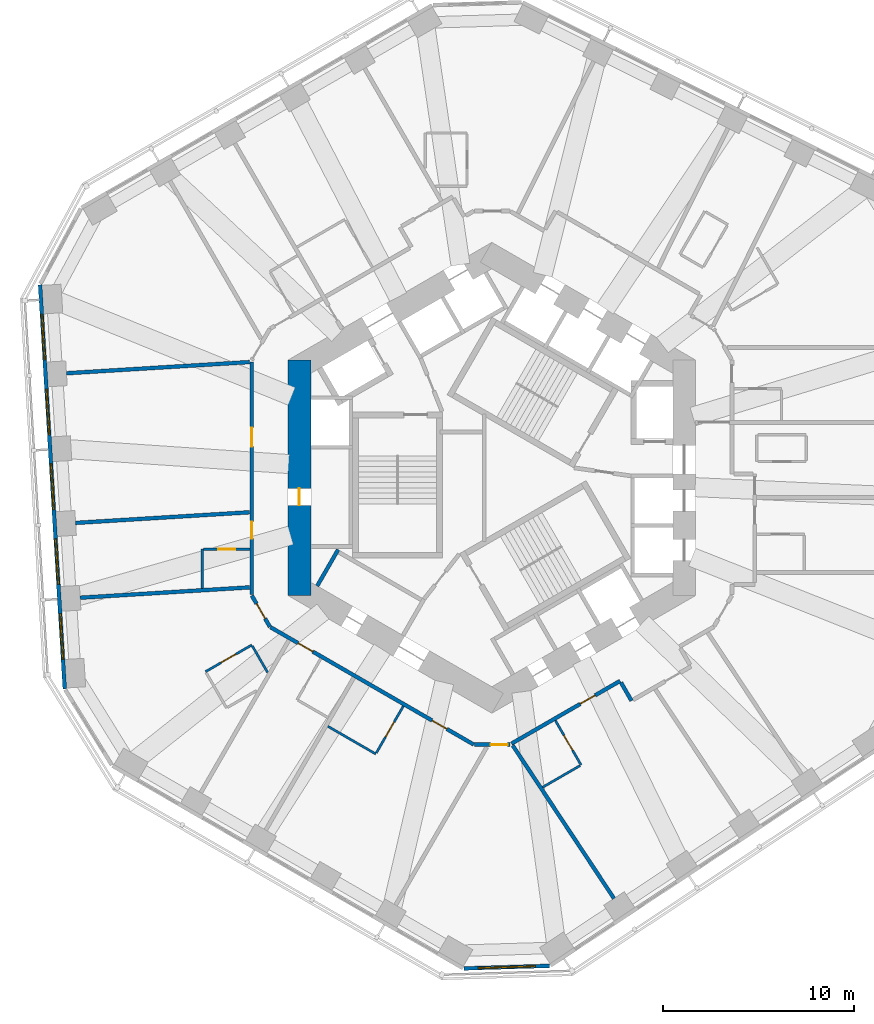
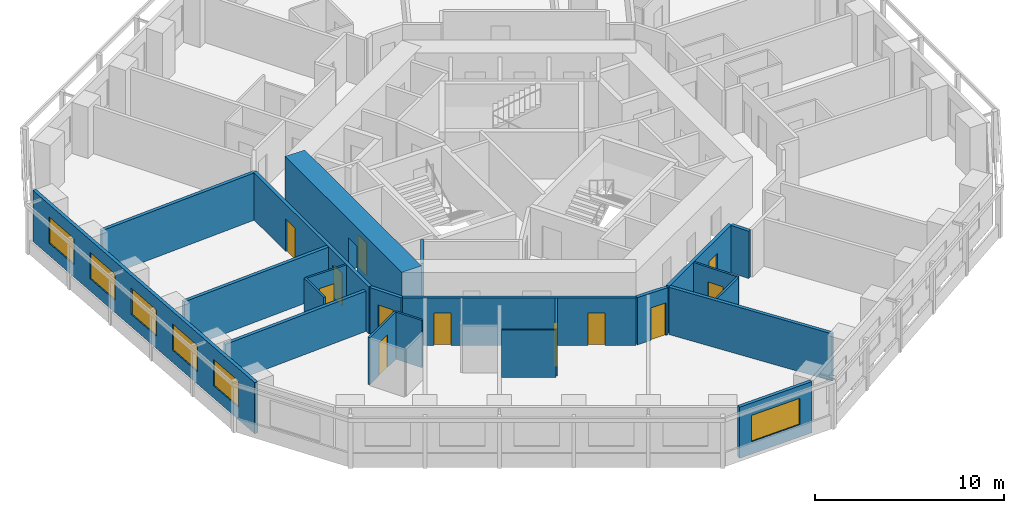
# One storey, part 4 of 12: 22 walls, 12 doors, 6 windows, 18 openings.
"""IFC4 building model written with IfcOpenShell, lengths in metres."""

import ifcopenshell
import ifcopenshell.guid

model = None  # the IFC model being written
_history = None  # IfcOwnerHistory: only IFC2X3 demands one
_inside = {}  # id of a spatial element -> (the spatial element, [elements in it])
_under = {}  # id of a project, library or spatial element -> (it, [spatial elements below it])
_declared = {}  # id of a project -> (the project, [libraries it declares])
_typed = {}  # id of a type object -> (the type object, [elements of that type])
_made_of = {}  # id of a material, layer set ... -> (it, [elements and type objects made of it])


def new_model(schema):
    """Start an empty IFC model of exactly this schema.

    Asked for "IFC4X3", IfcOpenShell would pick the latest addendum, in which some entities
    have other attributes; the version numbers below select the first issue.
    IFC2X3 requires an IfcOwnerHistory on every rooted entity: one is made here for all.
    """
    global model, _history
    if schema == "IFC4X3":
        model = ifcopenshell.file(schema_version=(4, 3, 0, 0))
    else:
        model = ifcopenshell.file(schema=schema)
    _inside.clear()
    _under.clear()
    _declared.clear()
    _typed.clear()
    _made_of.clear()
    _history = None
    if model.schema == "IFC2X3":
        org = make("IfcOrganization", Name="unknown")
        user = make(
            "IfcPersonAndOrganization",
            ThePerson=make("IfcPerson", FamilyName="unknown"),
            TheOrganization=org,
        )
        app = make(
            "IfcApplication",
            ApplicationDeveloper=org,
            Version="unknown",
            ApplicationFullName="unknown",
            ApplicationIdentifier="unknown",
        )
        _history = make(
            "IfcOwnerHistory",
            OwningUser=user,
            OwningApplication=app,
            ChangeAction="ADDED",
            CreationDate=0,
        )
    return model


def make(cls, **values):
    """One entity of the class cls with the attributes given. An attribute that is None is left unset."""
    return model.create_entity(
        cls, **{name: value for name, value in values.items() if value is not None}
    )


def rooted(cls, **values):
    """An entity with a GlobalId (a new one), such as an element, a storey or a relation."""
    return make(cls, GlobalId=ifcopenshell.guid.new(), OwnerHistory=_history, **values)


def si_unit(unit_type, name, prefix=None):
    """IfcSIUnit, for example si_unit("LENGTHUNIT", "METRE", prefix="MILLI")."""
    return make("IfcSIUnit", UnitType=unit_type, Prefix=prefix, Name=name)


def assignment(units):
    """IfcUnitAssignment: the units of a project."""
    return None if units is None else make("IfcUnitAssignment", Units=units)


def point(xyz):
    """IfcCartesianPoint."""
    return None if xyz is None else make("IfcCartesianPoint", Coordinates=xyz)


def direction(xyz):
    """IfcDirection."""
    return None if xyz is None else make("IfcDirection", DirectionRatios=xyz)


def frame(location, z_axis=None, x_axis=None):
    """IfcAxis2Placement3D, a coordinate frame: its origin and axes. An axis left out is left unset."""
    return make(
        "IfcAxis2Placement3D",
        Location=point(location),
        Axis=direction(z_axis),
        RefDirection=direction(x_axis),
    )


def frame_2d(location, x_axis=None):
    """IfcAxis2Placement2D, a coordinate frame in the plane: its origin and x axis."""
    return make(
        "IfcAxis2Placement2D", Location=point(location), RefDirection=direction(x_axis)
    )


def origin():
    """The frame at (0, 0, 0) with its axes left unset."""
    return frame((0.0, 0.0, 0.0))


def place(relative_to, where):
    """IfcLocalPlacement: puts the frame where relative to a parent placement (None: the world)."""
    return make(
        "IfcLocalPlacement", PlacementRelTo=relative_to, RelativePlacement=where
    )


def context(
    kind, dimensions, precision=None, world=None, true_north=None, identifier=None
):
    """IfcGeometricRepresentationContext, for example the 3D "Model" context."""
    return make(
        "IfcGeometricRepresentationContext",
        ContextIdentifier=identifier,
        ContextType=kind,
        CoordinateSpaceDimension=dimensions,
        Precision=precision,
        WorldCoordinateSystem=world,
        TrueNorth=true_north,
    )


def subcontext(parent, identifier, kind, view, scale=None):
    """IfcGeometricRepresentationSubContext, for example "Body" below "Model"."""
    return make(
        "IfcGeometricRepresentationSubContext",
        ContextIdentifier=identifier,
        ContextType=kind,
        ParentContext=parent,
        TargetScale=scale,
        TargetView=view,
    )


def project(units=None, contexts=None):
    """IfcProject with its units and contexts."""
    return rooted(
        "IfcProject",
        Name="project",
        RepresentationContexts=contexts,
        UnitsInContext=assignment(units),
    )


def spatial(cls, under=None, at=None, **own):
    """A site, building, storey or space (cls), placed at a placement, below another one or the project."""
    s = rooted(cls, ObjectPlacement=at, **own)
    if under is not None:
        _under.setdefault(under.id(), (under, []))[1].append(s)
    return s


def profile(cls, at=None, kind="AREA", **sizes):
    """A parametric profile (cls). Its sizes go by their IFC names, for example OverallWidth=200.0."""
    return make(cls, ProfileType=kind, Position=at, **sizes)


def rectangle(**sizes):
    """IfcRectangleProfileDef."""
    return profile("IfcRectangleProfileDef", **sizes)


def extrude(swept, where, along, depth):
    """IfcExtrudedAreaSolid: the profile swept, set in the frame where, extruded along a direction by depth."""
    return make(
        "IfcExtrudedAreaSolid",
        SweptArea=swept,
        Position=where,
        ExtrudedDirection=direction(along),
        Depth=depth,
    )


def shape(context_of_items, identifier, shape_type, items):
    """IfcShapeRepresentation: the items that make up one representation, for example the "Body"."""
    return make(
        "IfcShapeRepresentation",
        ContextOfItems=context_of_items,
        RepresentationIdentifier=identifier,
        RepresentationType=shape_type,
        Items=items,
    )


def material(Name=None, Category=None):
    """IfcMaterial."""
    return make("IfcMaterial", Name=Name, Category=Category)


def layer(
    of_material, thickness, ventilated=None, Name=None, Category=None, Priority=None
):
    """IfcMaterialLayer: one layer of a wall or slab, of a material (None: an air gap)."""
    return make(
        "IfcMaterialLayer",
        Material=of_material,
        LayerThickness=thickness,
        IsVentilated=ventilated,
        Name=Name,
        Category=Category,
        Priority=Priority,
    )


def layer_set(layers, Name=None):
    """IfcMaterialLayerSet."""
    return make("IfcMaterialLayerSet", MaterialLayers=layers, LayerSetName=Name)


def made_of(thing, what):
    """Note that an element or type object is made of a material, layer set ...; save() writes the relation."""
    if what is not None:
        _made_of.setdefault(what.id(), (what, []))[1].append(thing)
    return thing


def type_object(cls, material=None, **own):
    """A type object (cls), such as IfcWallType, which elements share."""
    return made_of(rooted(cls, **own), material)


def element(
    cls,
    number,
    at=None,
    inside=None,
    cuts=None,
    type_object=None,
    material=None,
    context=None,
    identifier="Body",
    shape_type=None,
    held_by="IfcProductDefinitionShape",
    body=None,
    shapes=None,
    **own,
):
    """One element of the class cls, such as IfcWall. Its Tag is "e" and its number.

    at: its placement. inside: the storey or other place that contains it. cuts: it is an
    opening in that element (IfcRelVoidsElement). A single representation is given by context,
    identifier, shape_type and body (its items); several are given by shapes. held_by: the class
    of the entity that holds the representations. save() writes the other relations.
    """
    e = rooted(cls, Tag="e%d" % number, ObjectPlacement=at, **own)
    if body is not None:
        shapes = [shape(context, identifier, shape_type, body)]
    if shapes is not None:
        e.Representation = make(held_by, Representations=shapes)
    if inside is not None:
        _inside.setdefault(inside.id(), (inside, []))[1].append(e)
    if cuts is not None:
        rooted(
            "IfcRelVoidsElement", RelatingBuildingElement=cuts, RelatedOpeningElement=e
        )
    if type_object is not None:
        _typed.setdefault(type_object.id(), (type_object, []))[1].append(e)
    return made_of(e, material)


def fill(opening, filler):
    """IfcRelFillsElement: the door or window that sits in an opening."""
    return rooted(
        "IfcRelFillsElement",
        RelatingOpeningElement=opening,
        RelatedBuildingElement=filler,
    )


def aggregate(whole, parts):
    """IfcRelAggregates: a whole, such as a stair, and the parts it consists of."""
    return rooted("IfcRelAggregates", RelatingObject=whole, RelatedObjects=parts)


def save(model, path):
    """Write the relations noted so far, then the file.

    IfcRelAggregates (storeys below a building ...), IfcRelContainedInSpatialStructure (elements
    in a storey), IfcRelDefinesByType, IfcRelAssociatesMaterial and IfcRelDeclares: one each for
    every whole, place, type object, material and project.
    """
    for whole, parts in _under.values():
        aggregate(whole, parts)
    for where, things in _inside.values():
        rooted(
            "IfcRelContainedInSpatialStructure",
            RelatedElements=things,
            RelatingStructure=where,
        )
    for kind, things in _typed.values():
        rooted("IfcRelDefinesByType", RelatedObjects=things, RelatingType=kind)
    for what, things in _made_of.values():
        rooted("IfcRelAssociatesMaterial", RelatedObjects=things, RelatingMaterial=what)
    for by, libraries in _declared.values():
        rooted("IfcRelDeclares", RelatingContext=by, RelatedDefinitions=libraries)
    model.write(path)


model = new_model("IFC4")

# Units and contexts
model_context = context("Model", 3, precision=1e-05, world=origin(), true_north=direction((0.0, 1.0)))
body_context = subcontext(model_context, "Body", "Model", "MODEL_VIEW")
ifc_project = project(units=[si_unit("LENGTHUNIT", "METRE"), si_unit("AREAUNIT", "SQUARE_METRE"), si_unit("VOLUMEUNIT", "CUBIC_METRE"), si_unit("PLANEANGLEUNIT", "RADIAN"), si_unit("MASSUNIT", "GRAM", prefix="KILO")], contexts=[model_context])

# Site, building, storey
site_placement = place(None, origin())
site = spatial("IfcSite", under=ifc_project, at=site_placement, CompositionType="ELEMENT")
building_placement = place(site_placement, origin())
building = spatial("IfcBuilding", under=site, at=building_placement, Name="Vanh Sen Convention Tower", CompositionType="ELEMENT")
storey_placement = place(building_placement, frame((0.0, 0.0, 47.300048828125)))
storey = spatial("IfcBuildingStorey", under=building, at=storey_placement, Name="L08", CompositionType="ELEMENT", Elevation=47.300048828125)

# Wall
ifc_material_1 = material(Name="Moisture-resistant gypsum board on steel studs", Category="steel")
ifc_layer_1 = layer(ifc_material_1, 0.1201171875)
ifc_layer_set_1 = layer_set([ifc_layer_1], Name="Moisture-resistant gypsum board on steel studs")
wall_type_1 = type_object("IfcWallType", Name="Bathroom partition 120", PredefinedType="PARTITIONING", material=ifc_layer_set_1)
wall_1_placement = place(storey_placement, frame((-15.199951171875, -5.8037109375, 0.0), z_axis=(0.0, 0.0, 1.0), x_axis=(0.0, 1.0, 0.0)))
element("IfcWall", 1, at=wall_1_placement, inside=storey, type_object=wall_type_1, Name="Bathroom partition 120", PredefinedType="PARTITIONING", context=body_context, shape_type="SweptSolid", body=[
    extrude(rectangle(XDim=2.059326171875, YDim=0.1201171875, at=frame_2d((1.02978515625, 0.0))), origin(), (0.0, 0.0, 1.0), 3.050048828125),
])

# Wall, opening, door
wall_2_placement = place(storey_placement, frame((-15.139892578125, -3.744384765625, 0.0), z_axis=(0.0, 0.0, 1.0), x_axis=(1.0, 0.0, 0.0)))
wall_2 = element("IfcWall", 2, at=wall_2_placement, inside=storey, type_object=wall_type_1, Name="Bathroom partition 120", PredefinedType="PARTITIONING", context=body_context, shape_type="SweptSolid", body=[
    extrude(rectangle(XDim=2.43994140625, YDim=0.1201171875, at=frame_2d((1.219970703125, 0.0))), origin(), (0.0, 0.0, 1.0), 3.050048828125),
])
opening_1_placement = place(wall_2_placement, frame((0.77001953125, 0.0, 0.0)))
opening_1 = element("IfcOpeningElement", 3, at=opening_1_placement, cuts=wall_2, Name="Opening D07121", PredefinedType="OPENING", context=body_context, shape_type="SweptSolid", body=[
    extrude(rectangle(XDim=0.89990234375, YDim=2.10009765625, at=frame_2d((0.449951171875, 1.050048828125))), frame((0.0, 0.070068359375, 0.0), z_axis=(0.0, -1.0, 0.0), x_axis=(1.0, 0.0, 0.0)), (0.0, 0.0, 1.0), 0.14013671875),
])
ifc_material_2 = material(Name="Laminate door in steel frame", Category="steel")
door_type_1 = type_object("IfcDoorType", Name="En-suite door 900", OperationType="SINGLE_SWING_LEFT", PredefinedType="DOOR", material=ifc_material_2)
door_1_placement = place(opening_1_placement, origin())
door_1 = element("IfcDoor", 4, at=door_1_placement, inside=storey, type_object=door_type_1, Name="En-suite door D07121", OperationType="SINGLE_SWING_LEFT", OverallHeight=2.10009765625, OverallWidth=0.89990234375, PredefinedType="DOOR", context=body_context, shape_type="SweptSolid", body=[
    extrude(rectangle(XDim=0.89990234375, YDim=2.10009765625, at=frame_2d((0.449951171875, 1.050048828125))), frame((0.0, 0.02490234375, 0.0), z_axis=(0.0, -1.0, 0.0), x_axis=(1.0, 0.0, 0.0)), (0.0, 0.0, 1.0), 0.050048828125),
])
fill(opening_1, door_1)

wall_3_placement = place(storey_placement, frame((-15.025634765625, -10.17626953125, 0.0), z_axis=(0.0, 0.0, 1.0), x_axis=(0.865996816683, 0.500049511043, 0.0)))
wall_3 = element("IfcWall", 5, at=wall_3_placement, inside=storey, type_object=wall_type_1, Name="Bathroom partition 120", PredefinedType="PARTITIONING", context=body_context, shape_type="SweptSolid", body=[
    extrude(rectangle(XDim=2.800048828125, YDim=0.1201171875, at=frame_2d((1.39990234375, 0.0))), origin(), (0.0, 0.0, 1.0), 3.050048828125),
])
opening_2_placement = place(wall_3_placement, frame((0.949951171875, 0.0, 0.0)))
opening_2 = element("IfcOpeningElement", 6, at=opening_2_placement, cuts=wall_3, Name="Opening D07123", PredefinedType="OPENING", context=body_context, shape_type="SweptSolid", body=[
    extrude(rectangle(XDim=0.89990234375, YDim=2.10009765625, at=frame_2d((0.449951171875, 1.050048828125))), frame((0.0, 0.070068359375, 0.0), z_axis=(0.0, -1.0, 0.0), x_axis=(1.0, 0.0, 0.0)), (0.0, 0.0, 1.0), 0.14013671875),
])
door_2_placement = place(opening_2_placement, origin())
door_2 = element("IfcDoor", 7, at=door_2_placement, inside=storey, type_object=door_type_1, Name="En-suite door D07123", OperationType="SINGLE_SWING_LEFT", OverallHeight=2.10009765625, OverallWidth=0.89990234375, PredefinedType="DOOR", context=body_context, shape_type="SweptSolid", body=[
    extrude(rectangle(XDim=0.89990234375, YDim=2.10009765625, at=frame_2d((0.449951171875, 1.050048828125))), frame((0.0, 0.02490234375, 0.0), z_axis=(0.0, -1.0, 0.0), x_axis=(1.0, 0.0, 0.0)), (0.0, 0.0, 1.0), 0.050048828125),
])
fill(opening_2, door_2)

# Walls
wall_4_placement = place(storey_placement, frame((-12.57080078125, -8.828125, 0.0), z_axis=(0.0, 0.0, 1.0), x_axis=(0.499960029081, -0.866048479775, 0.0)))
element("IfcWall", 8, at=wall_4_placement, inside=storey, type_object=wall_type_1, Name="Bathroom partition 120", PredefinedType="PARTITIONING", context=body_context, shape_type="SweptSolid", body=[
    extrude(rectangle(XDim=1.601318359375, YDim=0.1201171875, at=frame_2d((0.80078125, 0.0))), origin(), (0.0, 0.0, 1.0), 3.050048828125),
])
wall_5_placement = place(storey_placement, frame((-6.093994140625, -14.494873046875, 0.0), z_axis=(0.0, 0.0, 1.0), x_axis=(-0.866032775405, 0.499987231761, 0.0)))
element("IfcWall", 9, at=wall_5_placement, inside=storey, type_object=wall_type_1, Name="Bathroom partition 120", PredefinedType="PARTITIONING", context=body_context, shape_type="SweptSolid", body=[
    extrude(rectangle(XDim=2.89990234375, YDim=0.1201171875, at=frame_2d((1.449951171875, 0.0))), origin(), (0.0, 0.0, 1.0), 3.050048828125),
])

# Wall, opening, door
wall_6_placement = place(storey_placement, frame((-4.64404296875, -11.9833984375, 0.0), z_axis=(0.0, 0.0, 1.0), x_axis=(-0.499985389037, -0.866033839264, 0.0)))
wall_6 = element("IfcWall", 10, at=wall_6_placement, inside=storey, type_object=wall_type_1, Name="Bathroom partition 120", PredefinedType="PARTITIONING", context=body_context, shape_type="SweptSolid", body=[
    extrude(rectangle(XDim=2.83984375, YDim=0.1201171875, at=frame_2d((1.419921875, 0.0))), origin(), (0.0, 0.0, 1.0), 3.050048828125),
])
opening_3_placement = place(wall_6_placement, frame((0.969970703125, 0.0, 0.0)))
opening_3 = element("IfcOpeningElement", 11, at=opening_3_placement, cuts=wall_6, Name="Opening D07127", PredefinedType="OPENING", context=body_context, shape_type="SweptSolid", body=[
    extrude(rectangle(XDim=0.89990234375, YDim=2.10009765625, at=frame_2d((0.449951171875, 1.050048828125))), frame((0.0, 0.070068359375, 0.0), z_axis=(0.0, -1.0, 0.0), x_axis=(1.0, 0.0, 0.0)), (0.0, 0.0, 1.0), 0.14013671875),
])
door_3_placement = place(opening_3_placement, origin())
door_3 = element("IfcDoor", 12, at=door_3_placement, inside=storey, type_object=door_type_1, Name="En-suite door D07127", OperationType="SINGLE_SWING_LEFT", OverallHeight=2.10009765625, OverallWidth=0.89990234375, PredefinedType="DOOR", context=body_context, shape_type="SweptSolid", body=[
    extrude(rectangle(XDim=0.89990234375, YDim=2.10009765625, at=frame_2d((0.449951171875, 1.050048828125))), frame((0.0, 0.02490234375, 0.0), z_axis=(0.0, -1.0, 0.0), x_axis=(1.0, 0.0, 0.0)), (0.0, 0.0, 1.0), 0.050048828125),
])
fill(opening_3, door_3)

wall_7_placement = place(storey_placement, frame((3.335205078125, -12.7392578125, 0.0), z_axis=(0.0, 0.0, 1.0), x_axis=(0.499980770555, -0.866036505625, 0.0)))
wall_7 = element("IfcWall", 13, at=wall_7_placement, inside=storey, type_object=wall_type_1, Name="Bathroom partition 120", PredefinedType="PARTITIONING", context=body_context, shape_type="SweptSolid", body=[
    extrude(rectangle(XDim=2.69970703125, YDim=0.1201171875, at=frame_2d((1.349853515625, 0.0))), origin(), (0.0, 0.0, 1.0), 3.050048828125),
])
opening_4_placement = place(wall_7_placement, frame((0.89990234375, 0.0, 0.0)))
opening_4 = element("IfcOpeningElement", 14, at=opening_4_placement, cuts=wall_7, Name="Opening D07130", PredefinedType="OPENING", context=body_context, shape_type="SweptSolid", body=[
    extrude(rectangle(XDim=0.89990234375, YDim=2.10009765625, at=frame_2d((0.449951171875, 1.050048828125))), frame((0.0, 0.070068359375, 0.0), z_axis=(0.0, -1.0, 0.0), x_axis=(1.0, 0.0, 0.0)), (0.0, 0.0, 1.0), 0.14013671875),
])
door_4_placement = place(opening_4_placement, origin())
door_4 = element("IfcDoor", 15, at=door_4_placement, inside=storey, type_object=door_type_1, Name="En-suite door D07130", OperationType="SINGLE_SWING_LEFT", OverallHeight=2.10009765625, OverallWidth=0.89990234375, PredefinedType="DOOR", context=body_context, shape_type="SweptSolid", body=[
    extrude(rectangle(XDim=0.89990234375, YDim=2.10009765625, at=frame_2d((0.449951171875, 1.050048828125))), frame((0.0, 0.02490234375, 0.0), z_axis=(0.0, -1.0, 0.0), x_axis=(1.0, 0.0, 0.0)), (0.0, 0.0, 1.0), 0.050048828125),
])
fill(opening_4, door_4)

# Wall
wall_8_placement = place(storey_placement, frame((4.633056640625, -15.107421875, 0.0), z_axis=(0.0, 0.0, 1.0), x_axis=(-0.866022496617, -0.500005035328, 0.0)))
element("IfcWall", 16, at=wall_8_placement, inside=storey, type_object=wall_type_1, Name="Bathroom partition 120", PredefinedType="PARTITIONING", context=body_context, shape_type="SweptSolid", body=[
    extrude(rectangle(XDim=2.2685546875, YDim=0.1201171875, at=frame_2d((1.13427734375, 0.0))), origin(), (0.0, 0.0, 1.0), 3.050048828125),
])

# Wall, opening, door
ifc_material_3 = material(Name="Concrete C80/95", Category="concrete")
ifc_layer_2 = layer(ifc_material_3, 1.199951171875)
ifc_layer_set_2 = layer_set([ifc_layer_2], Name="Concrete C80/95")
wall_type_2 = type_object("IfcWallType", Name="Core outer wall 1200 C80/95", PredefinedType="SHEAR", material=ifc_layer_set_2)
wall_9_placement = place(storey_placement, frame((-10.10009765625, 6.177490234375, 0.0), z_axis=(0.0, 0.0, 1.0), x_axis=(0.0, -1.0, 0.0)))
wall_9 = element("IfcWall", 17, at=wall_9_placement, inside=storey, type_object=wall_type_2, Name="Core wall face W L08", PredefinedType="SHEAR", context=body_context, shape_type="SweptSolid", body=[
    extrude(rectangle(XDim=12.35498046875, YDim=1.199951171875, at=frame_2d((6.177490234375, 0.0))), origin(), (0.0, 0.0, 1.0), 3.300048828125),
])
opening_5_placement = place(wall_9_placement, frame((6.7275390625, 0.0, 0.0)))
opening_5 = element("IfcOpeningElement", 18, at=opening_5_placement, cuts=wall_9, Name="Opening D07010", PredefinedType="OPENING", context=body_context, shape_type="SweptSolid", body=[
    extrude(rectangle(XDim=0.89990234375, YDim=2.10009765625, at=frame_2d((0.449951171875, 1.050048828125))), frame((0.0, 0.60986328125, 0.0), z_axis=(0.0, -1.0, 0.0), x_axis=(1.0, 0.0, 0.0)), (0.0, 0.0, 1.0), 1.219970703125),
])
ifc_material_4 = material(Name="Steel S355", Category="steel")
door_type_2 = type_object("IfcDoorType", Name="Plant door 900", OperationType="SINGLE_SWING_LEFT", PredefinedType="DOOR", material=ifc_material_4)
door_5_placement = place(opening_5_placement, origin())
door_5 = element("IfcDoor", 19, at=door_5_placement, inside=storey, type_object=door_type_2, Name="Plant door D07010", OperationType="SINGLE_SWING_LEFT", OverallHeight=2.10009765625, OverallWidth=0.89990234375, PredefinedType="DOOR", context=body_context, shape_type="SweptSolid", body=[
    extrude(rectangle(XDim=0.89990234375, YDim=2.10009765625, at=frame_2d((0.449951171875, 1.050048828125))), frame((0.0, 0.02490234375, 0.0), z_axis=(0.0, -1.0, 0.0), x_axis=(1.0, 0.0, 0.0)), (0.0, 0.0, 1.0), 0.050048828125),
])
fill(opening_5, door_5)

ifc_material_5 = material(Name="Gypsum board on steel studs with mineral wool", Category="steel")
ifc_layer_3 = layer(ifc_material_5, 0.199951171875)
ifc_layer_set_3 = layer_set([ifc_layer_3], Name="Gypsum board on steel studs with mineral wool")
wall_type_3 = type_object("IfcWallType", Name="Corridor partition wall 200", PredefinedType="PARTITIONING", material=ifc_layer_set_3)
wall_10_placement = place(storey_placement, frame((-12.60009765625, -6.177490234375, 0.0), z_axis=(0.0, 0.0, 1.0), x_axis=(0.500063520245, -0.865988727248, 0.0)))
wall_10 = element("IfcWall", 20, at=wall_10_placement, inside=storey, type_object=wall_type_3, Name="Corridor partition wall 200", PredefinedType="PARTITIONING", context=body_context, shape_type="SweptSolid", body=[
    extrude(rectangle(XDim=1.900146484375, YDim=0.199951171875, at=frame_2d((0.9501953125, 0.0))), origin(), (0.0, 0.0, 1.0), 3.050048828125),
])
opening_6_placement = place(wall_10_placement, frame((0.5, 0.0, 0.0)))
opening_6 = element("IfcOpeningElement", 21, at=opening_6_placement, cuts=wall_10, Name="Opening D07122", PredefinedType="OPENING", context=body_context, shape_type="SweptSolid", body=[
    extrude(rectangle(XDim=0.89990234375, YDim=2.10009765625, at=frame_2d((0.449951171875, 1.050048828125))), frame((0.0, 0.10986328125, 0.0), z_axis=(0.0, -1.0, 0.0), x_axis=(1.0, 0.0, 0.0)), (0.0, 0.0, 1.0), 0.219970703125),
])
ifc_material_6 = material(Name="Timber fire door in steel frame", Category="steel")
door_type_3 = type_object("IfcDoorType", Name="Guest room door 900", OperationType="SINGLE_SWING_LEFT", PredefinedType="DOOR", material=ifc_material_6)
door_6_placement = place(opening_6_placement, origin())
door_6 = element("IfcDoor", 22, at=door_6_placement, inside=storey, type_object=door_type_3, Name="Hotel guest room door D07122", OperationType="SINGLE_SWING_LEFT", OverallHeight=2.10009765625, OverallWidth=0.89990234375, PredefinedType="DOOR", context=body_context, shape_type="SweptSolid", body=[
    extrude(rectangle(XDim=0.89990234375, YDim=2.10009765625, at=frame_2d((0.449951171875, 1.050048828125))), frame((0.0, 0.02490234375, 0.0), z_axis=(0.0, -1.0, 0.0), x_axis=(1.0, 0.0, 0.0)), (0.0, 0.0, 1.0), 0.050048828125),
])
fill(opening_6, door_6)

# Wall, openings, doors
wall_11_placement = place(storey_placement, frame((-12.60009765625, 6.081298828125, 0.0), z_axis=(0.0, 0.0, 1.0), x_axis=(0.0, -1.0, 0.0)))
wall_11 = element("IfcWall", 23, at=wall_11_placement, inside=storey, type_object=wall_type_3, Name="Corridor partition wall 200", PredefinedType="PARTITIONING", context=body_context, shape_type="SweptSolid", body=[
    extrude(rectangle(XDim=12.218994140625, YDim=0.199951171875, at=frame_2d((6.109375, 0.0))), origin(), (0.0, 0.0, 1.0), 3.050048828125),
])
opening_7_placement = place(wall_11_placement, frame((3.44189453125, 0.0, 0.0)))
opening_7 = element("IfcOpeningElement", 24, at=opening_7_placement, cuts=wall_11, Name="Opening D07119", PredefinedType="OPENING", context=body_context, shape_type="SweptSolid", body=[
    extrude(rectangle(XDim=1.0, YDim=2.10009765625, at=frame_2d((0.5, 1.050048828125))), frame((0.0, 0.10986328125, 0.0), z_axis=(0.0, -1.0, 0.0), x_axis=(1.0, 0.0, 0.0)), (0.0, 0.0, 1.0), 0.219970703125),
])
opening_8_placement = place(wall_11_placement, frame((8.3798828125, 0.0, 0.0)))
opening_8 = element("IfcOpeningElement", 25, at=opening_8_placement, cuts=wall_11, Name="Opening D07120", PredefinedType="OPENING", context=body_context, shape_type="SweptSolid", body=[
    extrude(rectangle(XDim=0.89990234375, YDim=2.10009765625, at=frame_2d((0.449951171875, 1.050048828125))), frame((0.0, 0.10986328125, 0.0), z_axis=(0.0, -1.0, 0.0), x_axis=(1.0, 0.0, 0.0)), (0.0, 0.0, 1.0), 0.219970703125),
])
door_type_4 = type_object("IfcDoorType", Name="Floor room door 1000", OperationType="SINGLE_SWING_LEFT", PredefinedType="DOOR", material=ifc_material_6)
door_7_placement = place(opening_7_placement, origin())
door_7 = element("IfcDoor", 26, at=door_7_placement, inside=storey, type_object=door_type_4, Name="Meeting and amenity room door D07119", OperationType="SINGLE_SWING_LEFT", OverallHeight=2.10009765625, OverallWidth=1.0, PredefinedType="DOOR", context=body_context, shape_type="SweptSolid", body=[
    extrude(rectangle(XDim=1.0, YDim=2.10009765625, at=frame_2d((0.5, 1.050048828125))), frame((0.0, 0.02490234375, 0.0), z_axis=(0.0, -1.0, 0.0), x_axis=(1.0, 0.0, 0.0)), (0.0, 0.0, 1.0), 0.050048828125),
])
fill(opening_7, door_7)
door_8_placement = place(opening_8_placement, origin())
door_8 = element("IfcDoor", 27, at=door_8_placement, inside=storey, type_object=door_type_3, Name="Hotel guest room door D07120", OperationType="SINGLE_SWING_LEFT", OverallHeight=2.10009765625, OverallWidth=0.89990234375, PredefinedType="DOOR", context=body_context, shape_type="SweptSolid", body=[
    extrude(rectangle(XDim=0.89990234375, YDim=2.10009765625, at=frame_2d((0.449951171875, 1.050048828125))), frame((0.0, 0.02490234375, 0.0), z_axis=(0.0, -1.0, 0.0), x_axis=(1.0, 0.0, 0.0)), (0.0, 0.0, 1.0), 0.050048828125),
])
fill(opening_8, door_8)

wall_12_placement = place(storey_placement, frame((-11.615478515625, -7.843017578125, 0.0), z_axis=(0.0, 0.0, 1.0), x_axis=(0.866026466995, -0.499998158461, 0.0)))
wall_12 = element("IfcWall", 28, at=wall_12_placement, inside=storey, type_object=wall_type_3, Name="Corridor partition wall 200", PredefinedType="PARTITIONING", context=body_context, shape_type="SweptSolid", body=[
    extrude(rectangle(XDim=12.3154296875, YDim=0.199951171875, at=frame_2d((6.15771484375, 0.0))), origin(), (0.0, 0.0, 1.0), 3.050048828125),
])
opening_9_placement = place(wall_12_placement, frame((1.665283203125, 0.0, 0.0)))
opening_9 = element("IfcOpeningElement", 29, at=opening_9_placement, cuts=wall_12, Name="Opening D07124", PredefinedType="OPENING", context=body_context, shape_type="SweptSolid", body=[
    extrude(rectangle(XDim=0.89990234375, YDim=2.10009765625, at=frame_2d((0.449951171875, 1.050048828125))), frame((0.0, 0.10986328125, 0.0), z_axis=(0.0, -1.0, 0.0), x_axis=(1.0, 0.0, 0.0)), (0.0, 0.0, 1.0), 0.219970703125),
])
opening_10_placement = place(wall_12_placement, frame((9.78662109375, 0.0, 0.0)))
opening_10 = element("IfcOpeningElement", 30, at=opening_10_placement, cuts=wall_12, Name="Opening D07126", PredefinedType="OPENING", context=body_context, shape_type="SweptSolid", body=[
    extrude(rectangle(XDim=0.89990234375, YDim=2.10009765625, at=frame_2d((0.449951171875, 1.050048828125))), frame((0.0, 0.10986328125, 0.0), z_axis=(0.0, -1.0, 0.0), x_axis=(1.0, 0.0, 0.0)), (0.0, 0.0, 1.0), 0.219970703125),
])
door_9_placement = place(opening_9_placement, origin())
door_9 = element("IfcDoor", 31, at=door_9_placement, inside=storey, type_object=door_type_3, Name="Hotel guest room door D07124", OperationType="SINGLE_SWING_LEFT", OverallHeight=2.10009765625, OverallWidth=0.89990234375, PredefinedType="DOOR", context=body_context, shape_type="SweptSolid", body=[
    extrude(rectangle(XDim=0.89990234375, YDim=2.10009765625, at=frame_2d((0.449951171875, 1.050048828125))), frame((0.0, 0.02490234375, 0.0), z_axis=(0.0, -1.0, 0.0), x_axis=(1.0, 0.0, 0.0)), (0.0, 0.0, 1.0), 0.050048828125),
])
fill(opening_9, door_9)
door_10_placement = place(opening_10_placement, origin())
door_10 = element("IfcDoor", 32, at=door_10_placement, inside=storey, type_object=door_type_3, Name="Hotel guest room door D07126", OperationType="SINGLE_SWING_LEFT", OverallHeight=2.10009765625, OverallWidth=0.89990234375, PredefinedType="DOOR", context=body_context, shape_type="SweptSolid", body=[
    extrude(rectangle(XDim=0.89990234375, YDim=2.10009765625, at=frame_2d((0.449951171875, 1.050048828125))), frame((0.0, 0.02490234375, 0.0), z_axis=(0.0, -1.0, 0.0), x_axis=(1.0, 0.0, 0.0)), (0.0, 0.0, 1.0), 0.050048828125),
])
fill(opening_10, door_10)

# Wall, opening, door
wall_13_placement = place(storey_placement, frame((-0.909912109375, -14.000732421875, 0.0), z_axis=(0.0, 0.0, 1.0), x_axis=(1.0, 0.0, 0.0)))
wall_13 = element("IfcWall", 33, at=wall_13_placement, inside=storey, type_object=wall_type_3, Name="Corridor partition wall 200", PredefinedType="PARTITIONING", context=body_context, shape_type="SweptSolid", body=[
    extrude(rectangle(XDim=1.85986328125, YDim=0.199951171875, at=frame_2d((0.929931640625, 0.0))), origin(), (0.0, 0.0, 1.0), 3.050048828125),
])
opening_11_placement = place(wall_13_placement, frame((0.841796875, 0.0, 0.0)))
opening_11 = element("IfcOpeningElement", 34, at=opening_11_placement, cuts=wall_13, Name="Opening D07128", PredefinedType="OPENING", context=body_context, shape_type="SweptSolid", body=[
    extrude(rectangle(XDim=0.89990234375, YDim=2.10009765625, at=frame_2d((0.449951171875, 1.050048828125))), frame((0.0, 0.10986328125, 0.0), z_axis=(0.0, -1.0, 0.0), x_axis=(1.0, 0.0, 0.0)), (0.0, 0.0, 1.0), 0.219970703125),
])
door_type_5 = type_object("IfcDoorType", Name="Floor room door 900", OperationType="SINGLE_SWING_LEFT", PredefinedType="DOOR", material=ifc_material_6)
door_11_placement = place(opening_11_placement, origin())
door_11 = element("IfcDoor", 35, at=door_11_placement, inside=storey, type_object=door_type_5, Name="Meeting and amenity room door D07128", OperationType="SINGLE_SWING_LEFT", OverallHeight=2.10009765625, OverallWidth=0.89990234375, PredefinedType="DOOR", context=body_context, shape_type="SweptSolid", body=[
    extrude(rectangle(XDim=0.89990234375, YDim=2.10009765625, at=frame_2d((0.449951171875, 1.050048828125))), frame((0.0, 0.02490234375, 0.0), z_axis=(0.0, -1.0, 0.0), x_axis=(1.0, 0.0, 0.0)), (0.0, 0.0, 1.0), 0.050048828125),
])
fill(opening_11, door_11)

wall_14_placement = place(storey_placement, frame((1.033447265625, -13.95263671875, 0.0), z_axis=(0.0, 0.0, 1.0), x_axis=(0.866017531406, 0.500013635111, 0.0)))
wall_14 = element("IfcWall", 36, at=wall_14_placement, inside=storey, type_object=wall_type_3, Name="Corridor partition wall 200", PredefinedType="PARTITIONING", context=body_context, shape_type="SweptSolid", body=[
    extrude(rectangle(XDim=6.580322265625, YDim=0.199951171875, at=frame_2d((3.2900390625, 0.0))), origin(), (0.0, 0.0, 1.0), 3.050048828125),
])
opening_12_placement = place(wall_14_placement, frame((4.1650390625, 0.0, 0.0)))
opening_12 = element("IfcOpeningElement", 37, at=opening_12_placement, cuts=wall_14, Name="Opening D07129", PredefinedType="OPENING", context=body_context, shape_type="SweptSolid", body=[
    extrude(rectangle(XDim=0.89990234375, YDim=2.10009765625, at=frame_2d((0.449951171875, 1.050048828125))), frame((0.0, 0.10986328125, 0.0), z_axis=(0.0, -1.0, 0.0), x_axis=(1.0, 0.0, 0.0)), (0.0, 0.0, 1.0), 0.219970703125),
])
door_12_placement = place(opening_12_placement, origin())
door_12 = element("IfcDoor", 38, at=door_12_placement, inside=storey, type_object=door_type_3, Name="Hotel guest room door D07129", OperationType="SINGLE_SWING_LEFT", OverallHeight=2.10009765625, OverallWidth=0.89990234375, PredefinedType="DOOR", context=body_context, shape_type="SweptSolid", body=[
    extrude(rectangle(XDim=0.89990234375, YDim=2.10009765625, at=frame_2d((0.449951171875, 1.050048828125))), frame((0.0, 0.02490234375, 0.0), z_axis=(0.0, -1.0, 0.0), x_axis=(1.0, 0.0, 0.0)), (0.0, 0.0, 1.0), 0.050048828125),
])
fill(opening_12, door_12)

# Wall
wall_15_placement = place(storey_placement, frame((6.781982421875, -10.7490234375, 0.0), z_axis=(0.0, 0.0, 1.0), x_axis=(0.500074377092, -0.865982457891, 0.0)))
element("IfcWall", 39, at=wall_15_placement, inside=storey, type_object=wall_type_3, Name="Corridor partition wall 200", PredefinedType="PARTITIONING", context=body_context, shape_type="SweptSolid", body=[
    extrude(rectangle(XDim=1.100830078125, YDim=0.199951171875, at=frame_2d((0.55029296875, 0.0))), origin(), (0.0, 0.0, 1.0), 3.050048828125),
])

# Wall, openings, windows
ifc_material_7 = material(Name="Insulated lightweight infill wall")
ifc_layer_4 = layer(ifc_material_7, 0.199951171875)
ifc_layer_set_4 = layer_set([ifc_layer_4], Name="Insulated lightweight infill wall")
wall_type_4 = type_object("IfcWallType", Name="External wall 200", PredefinedType="STANDARD", material=ifc_layer_set_4)
wall_16_placement = place(storey_placement, frame((-23.712646484375, 10.130859375, 0.0), z_axis=(0.0, 0.0, 1.0), x_axis=(0.061040439785, -0.998135293791, 0.0)))
wall_16 = element("IfcWall", 40, at=wall_16_placement, inside=storey, type_object=wall_type_4, Name="External wall W L08", PredefinedType="STANDARD", context=body_context, shape_type="SweptSolid", body=[
    extrude(rectangle(XDim=21.24609375, YDim=0.199951171875, at=frame_2d((10.623046875, 0.0))), origin(), (0.0, 0.0, 1.0), 3.300048828125),
])
opening_13_placement = place(wall_16_placement, frame((1.552978515625, 0.0, 0.800048828125)))
opening_13 = element("IfcOpeningElement", 41, at=opening_13_placement, cuts=wall_16, Name="Opening WH1-W1", PredefinedType="OPENING", context=body_context, shape_type="SweptSolid", body=[
    extrude(rectangle(XDim=2.39990234375, YDim=1.699951171875, at=frame_2d((1.199951171875, 0.85009765625))), frame((0.0, 0.10986328125, 0.0), z_axis=(0.0, -1.0, 0.0), x_axis=(1.0, 0.0, 0.0)), (0.0, 0.0, 1.0), 0.219970703125),
])
opening_14_placement = place(wall_16_placement, frame((5.48779296875, 0.0, 0.800048828125)))
opening_14 = element("IfcOpeningElement", 42, at=opening_14_placement, cuts=wall_16, Name="Opening WH1-W2", PredefinedType="OPENING", context=body_context, shape_type="SweptSolid", body=[
    extrude(rectangle(XDim=2.39990234375, YDim=1.699951171875, at=frame_2d((1.199951171875, 0.85009765625))), frame((0.0, 0.10986328125, 0.0), z_axis=(0.0, -1.0, 0.0), x_axis=(1.0, 0.0, 0.0)), (0.0, 0.0, 1.0), 0.219970703125),
])
opening_15_placement = place(wall_16_placement, frame((9.42236328125, 0.0, 0.800048828125)))
opening_15 = element("IfcOpeningElement", 43, at=opening_15_placement, cuts=wall_16, Name="Opening WH1-W3", PredefinedType="OPENING", context=body_context, shape_type="SweptSolid", body=[
    extrude(rectangle(XDim=2.39990234375, YDim=1.699951171875, at=frame_2d((1.199951171875, 0.85009765625))), frame((0.0, 0.10986328125, 0.0), z_axis=(0.0, -1.0, 0.0), x_axis=(1.0, 0.0, 0.0)), (0.0, 0.0, 1.0), 0.219970703125),
])
opening_16_placement = place(wall_16_placement, frame((13.35693359375, 0.0, 0.800048828125)))
opening_16 = element("IfcOpeningElement", 44, at=opening_16_placement, cuts=wall_16, Name="Opening WH1-W4", PredefinedType="OPENING", context=body_context, shape_type="SweptSolid", body=[
    extrude(rectangle(XDim=2.39990234375, YDim=1.699951171875, at=frame_2d((1.199951171875, 0.85009765625))), frame((0.0, 0.10986328125, 0.0), z_axis=(0.0, -1.0, 0.0), x_axis=(1.0, 0.0, 0.0)), (0.0, 0.0, 1.0), 0.219970703125),
])
opening_17_placement = place(wall_16_placement, frame((17.29150390625, 0.0, 0.800048828125)))
opening_17 = element("IfcOpeningElement", 45, at=opening_17_placement, cuts=wall_16, Name="Opening WH1-W5", PredefinedType="OPENING", context=body_context, shape_type="SweptSolid", body=[
    extrude(rectangle(XDim=2.39990234375, YDim=1.699951171875, at=frame_2d((1.199951171875, 0.85009765625))), frame((0.0, 0.10986328125, 0.0), z_axis=(0.0, -1.0, 0.0), x_axis=(1.0, 0.0, 0.0)), (0.0, 0.0, 1.0), 0.219970703125),
])
ifc_material_8 = material(Name="Aluminium frame with clear low-emissivity glass", Category="aluminium")
window_type_1 = type_object("IfcWindowType", Name="Hotel window 2400 x 1700", PartitioningType="SINGLE_PANEL", PredefinedType="WINDOW", material=ifc_material_8)
window_1_placement = place(opening_13_placement, origin())
window_1 = element("IfcWindow", 46, at=window_1_placement, inside=storey, type_object=window_type_1, Name="Window WH1-W1", OverallHeight=1.699951171875, OverallWidth=2.39990234375, PartitioningType="SINGLE_PANEL", PredefinedType="WINDOW", context=body_context, shape_type="SweptSolid", body=[
    extrude(rectangle(XDim=2.39990234375, YDim=1.699951171875, at=frame_2d((1.199951171875, 0.85009765625))), frame((0.0, 0.030029296875, 0.0), z_axis=(0.0, -1.0, 0.0), x_axis=(1.0, 0.0, 0.0)), (0.0, 0.0, 1.0), 0.06005859375),
])
fill(opening_13, window_1)
window_2_placement = place(opening_14_placement, origin())
window_2 = element("IfcWindow", 47, at=window_2_placement, inside=storey, type_object=window_type_1, Name="Window WH1-W2", OverallHeight=1.699951171875, OverallWidth=2.39990234375, PartitioningType="SINGLE_PANEL", PredefinedType="WINDOW", context=body_context, shape_type="SweptSolid", body=[
    extrude(rectangle(XDim=2.39990234375, YDim=1.699951171875, at=frame_2d((1.199951171875, 0.85009765625))), frame((0.0, 0.030029296875, 0.0), z_axis=(0.0, -1.0, 0.0), x_axis=(1.0, 0.0, 0.0)), (0.0, 0.0, 1.0), 0.06005859375),
])
fill(opening_14, window_2)
window_3_placement = place(opening_15_placement, origin())
window_3 = element("IfcWindow", 48, at=window_3_placement, inside=storey, type_object=window_type_1, Name="Window WH1-W3", OverallHeight=1.699951171875, OverallWidth=2.39990234375, PartitioningType="SINGLE_PANEL", PredefinedType="WINDOW", context=body_context, shape_type="SweptSolid", body=[
    extrude(rectangle(XDim=2.39990234375, YDim=1.699951171875, at=frame_2d((1.199951171875, 0.85009765625))), frame((0.0, 0.030029296875, 0.0), z_axis=(0.0, -1.0, 0.0), x_axis=(1.0, 0.0, 0.0)), (0.0, 0.0, 1.0), 0.06005859375),
])
fill(opening_15, window_3)
window_4_placement = place(opening_16_placement, origin())
window_4 = element("IfcWindow", 49, at=window_4_placement, inside=storey, type_object=window_type_1, Name="Window WH1-W4", OverallHeight=1.699951171875, OverallWidth=2.39990234375, PartitioningType="SINGLE_PANEL", PredefinedType="WINDOW", context=body_context, shape_type="SweptSolid", body=[
    extrude(rectangle(XDim=2.39990234375, YDim=1.699951171875, at=frame_2d((1.199951171875, 0.85009765625))), frame((0.0, 0.030029296875, 0.0), z_axis=(0.0, -1.0, 0.0), x_axis=(1.0, 0.0, 0.0)), (0.0, 0.0, 1.0), 0.06005859375),
])
fill(opening_16, window_4)
window_5_placement = place(opening_17_placement, origin())
window_5 = element("IfcWindow", 50, at=window_5_placement, inside=storey, type_object=window_type_1, Name="Window WH1-W5", OverallHeight=1.699951171875, OverallWidth=2.39990234375, PartitioningType="SINGLE_PANEL", PredefinedType="WINDOW", context=body_context, shape_type="SweptSolid", body=[
    extrude(rectangle(XDim=2.39990234375, YDim=1.699951171875, at=frame_2d((1.199951171875, 0.85009765625))), frame((0.0, 0.030029296875, 0.0), z_axis=(0.0, -1.0, 0.0), x_axis=(1.0, 0.0, 0.0)), (0.0, 0.0, 1.0), 0.06005859375),
])
fill(opening_17, window_5)

# Wall, opening, window
wall_17_placement = place(storey_placement, frame((-1.461181640625, -25.7548828125, 0.0), z_axis=(0.0, 0.0, 1.0), x_axis=(0.999533823446, 0.030530898895, 0.0)))
wall_17 = element("IfcWall", 51, at=wall_17_placement, inside=storey, type_object=wall_type_4, Name="External wall CH5 L08", PredefinedType="STANDARD", context=body_context, shape_type="SweptSolid", body=[
    extrude(rectangle(XDim=4.494140625, YDim=0.199951171875, at=frame_2d((2.2470703125, 0.0))), origin(), (0.0, 0.0, 1.0), 3.300048828125),
])
opening_18_placement = place(wall_17_placement, frame((0.7470703125, 0.0, 0.800048828125)))
opening_18 = element("IfcOpeningElement", 52, at=opening_18_placement, cuts=wall_17, Name="Opening WH2-CH51", PredefinedType="OPENING", context=body_context, shape_type="SweptSolid", body=[
    extrude(rectangle(XDim=3.0, YDim=1.699951171875, at=frame_2d((1.5, 0.85009765625))), frame((0.0, 0.10986328125, 0.0), z_axis=(0.0, -1.0, 0.0), x_axis=(1.0, 0.0, 0.0)), (0.0, 0.0, 1.0), 0.219970703125),
])
window_type_2 = type_object("IfcWindowType", Name="Hotel window 3000 x 1700", PartitioningType="SINGLE_PANEL", PredefinedType="WINDOW", material=ifc_material_8)
window_6_placement = place(opening_18_placement, origin())
window_6 = element("IfcWindow", 53, at=window_6_placement, inside=storey, type_object=window_type_2, Name="Window WH2-CH51", OverallHeight=1.699951171875, OverallWidth=3.0, PartitioningType="SINGLE_PANEL", PredefinedType="WINDOW", context=body_context, shape_type="SweptSolid", body=[
    extrude(rectangle(XDim=3.0, YDim=1.699951171875, at=frame_2d((1.5, 0.85009765625))), frame((0.0, 0.030029296875, 0.0), z_axis=(0.0, -1.0, 0.0), x_axis=(1.0, 0.0, 0.0)), (0.0, 0.0, 1.0), 0.06005859375),
])
fill(opening_18, window_6)

# Walls
ifc_layer_5 = layer(ifc_material_5, 0.199951171875)
ifc_layer_set_5 = layer_set([ifc_layer_5], Name="Gypsum board on steel studs with mineral wool")
wall_type_5 = type_object("IfcWallType", Name="Hotel party wall 200", PredefinedType="PARTITIONING", material=ifc_layer_set_5)
wall_18_placement = place(storey_placement, frame((-22.32666015625, 5.486328125, 0.0), z_axis=(0.0, 0.0, 1.0), x_axis=(0.998135194863, 0.061042057435, 0.0)))
element("IfcWall", 54, at=wall_18_placement, inside=storey, type_object=wall_type_5, Name="Hotel party wall 200", PredefinedType="PARTITIONING", context=body_context, shape_type="SweptSolid", body=[
    extrude(rectangle(XDim=9.635009765625, YDim=0.199951171875, at=frame_2d((4.8173828125, 0.0))), origin(), (0.0, 0.0, 1.0), 3.050048828125),
])
wall_19_placement = place(storey_placement, frame((-21.84619140625, -2.3681640625, 0.0), z_axis=(0.0, 0.0, 1.0), x_axis=(0.998134617584, 0.061051496129, 0.0)))
element("IfcWall", 55, at=wall_19_placement, inside=storey, type_object=wall_type_5, Name="Hotel party wall 200", PredefinedType="PARTITIONING", context=body_context, shape_type="SweptSolid", body=[
    extrude(rectangle(XDim=9.153564453125, YDim=0.199951171875, at=frame_2d((4.57666015625, 0.0))), origin(), (0.0, 0.0, 1.0), 3.050048828125),
])
wall_20_placement = place(storey_placement, frame((-21.60595703125, -6.29541015625, 0.0), z_axis=(0.0, 0.0, 1.0), x_axis=(0.998134305525, 0.061056597794, 0.0)))
element("IfcWall", 56, at=wall_20_placement, inside=storey, type_object=wall_type_5, Name="Hotel party wall 200", PredefinedType="PARTITIONING", context=body_context, shape_type="SweptSolid", body=[
    extrude(rectangle(XDim=8.912841796875, YDim=0.199951171875, at=frame_2d((4.45654296875, 0.0))), origin(), (0.0, 0.0, 1.0), 2.599853515625),
])
wall_21_placement = place(storey_placement, frame((6.411865234375, -22.07861328125, 0.0), z_axis=(0.0, 0.0, 1.0), x_axis=(-0.551919507115, 0.83389739037, 0.0)))
element("IfcWall", 57, at=wall_21_placement, inside=storey, type_object=wall_type_5, Name="Hotel party wall 200", PredefinedType="PARTITIONING", context=body_context, shape_type="SweptSolid", body=[
    extrude(rectangle(XDim=9.634765625, YDim=0.199951171875, at=frame_2d((4.8173828125, 0.0))), origin(), (0.0, 0.0, 1.0), 3.050048828125),
])
ifc_material_9 = material(Name="Concrete C40/50", Category="concrete")
ifc_layer_6 = layer(ifc_material_9, 0.199951171875)
ifc_layer_set_6 = layer_set([ifc_layer_6], Name="Concrete C40/50")
wall_type_6 = type_object("IfcWallType", Name="Lift shaft wall 200", PredefinedType="PARTITIONING", material=ifc_layer_set_6)
wall_22_placement = place(storey_placement, frame((-8.066650390625, -3.77197265625, 0.0), z_axis=(0.0, 0.0, 1.0), x_axis=(-0.50002983664, -0.866008176907, 0.0)))
element("IfcWall", 58, at=wall_22_placement, inside=storey, type_object=wall_type_6, Name="Lift shaft wall L08", PredefinedType="PARTITIONING", context=body_context, shape_type="SweptSolid", body=[
    extrude(rectangle(XDim=2.199951171875, YDim=0.199951171875, at=frame_2d((1.10009765625, 0.0))), origin(), (0.0, 0.0, 1.0), 3.050048828125),
])

save(model, "model.ifc")
